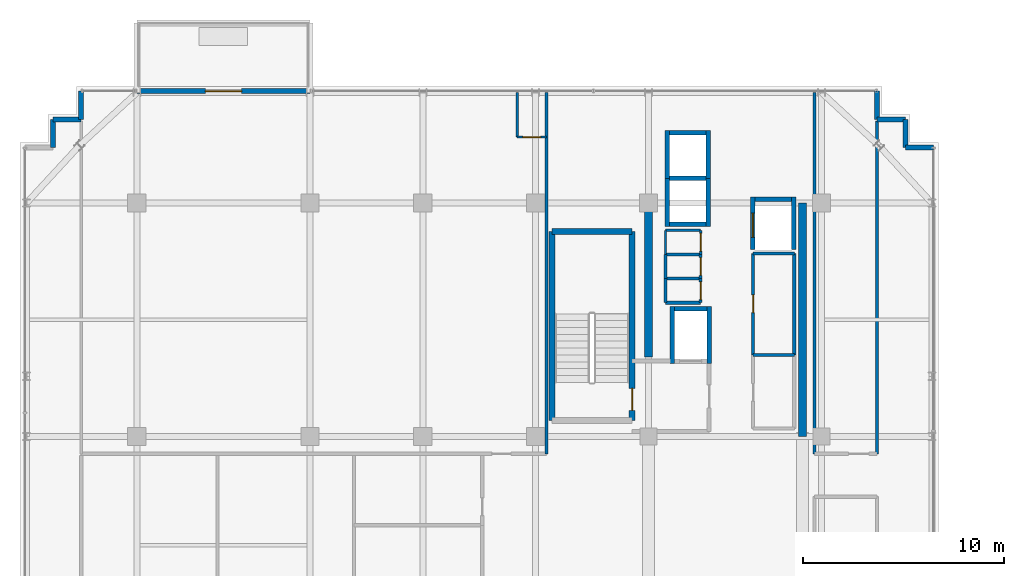
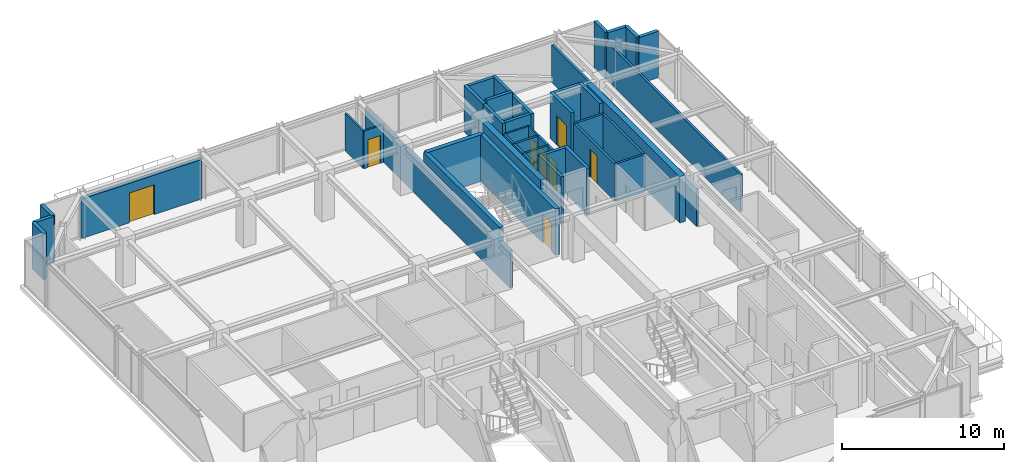
# One storey, part 26 of 31: 45 walls, 8 doors, 8 openings.
"""IFC4 building model written with IfcOpenShell, lengths in metres."""

from ifc_helpers import new_model, si_unit, direction, frame, frame_2d, origin, place, context, subcontext, project, spatial, rectangle, extrude, source, transform, mapped, material, layer, layer_set, type_object, element, fill, save


model = new_model("IFC4")

# Units and contexts
model_context = context("Model", 3, precision=1e-05, world=origin(), true_north=direction((0.0, 1.0)))
body_context = subcontext(model_context, "Body", "Model", "MODEL_VIEW")
ifc_project = project(units=[si_unit("LENGTHUNIT", "METRE"), si_unit("AREAUNIT", "SQUARE_METRE"), si_unit("VOLUMEUNIT", "CUBIC_METRE"), si_unit("PLANEANGLEUNIT", "RADIAN"), si_unit("MASSUNIT", "GRAM", prefix="KILO")], contexts=[model_context])

# Site, building, storey
site_placement = place(None, origin())
site = spatial("IfcSite", under=ifc_project, at=site_placement, CompositionType="ELEMENT")
building_placement = place(site_placement, origin())
building = spatial("IfcBuilding", under=site, at=building_placement, Name="Nahalor Promenade Grand Hotel", CompositionType="ELEMENT")
storey_placement = place(building_placement, frame((0.0, 0.0, 327.14990234375)))
storey = spatial("IfcBuildingStorey", under=building, at=storey_placement, Name="L84", CompositionType="ELEMENT", Elevation=327.14990234375)

# Walls
ifc_material_1 = material(Name="Concrete B-50 (C40/50)", Category="concrete")
ifc_layer_1 = layer(ifc_material_1, 0.39990234375)
ifc_layer_set_1 = layer_set([ifc_layer_1], Name="Concrete B-50 (C40/50)")
wall_type_1 = type_object("IfcWallType", Name="Wall-CoreShear-400", PredefinedType="SHEAR", material=ifc_layer_set_1)
shared_shape_1 = source(origin(), body_context, "Body", "SweptSolid", [
    extrude(rectangle(XDim=7.64990234375, YDim=0.39990234375, at=frame_2d((3.824951171875, 0.0))), origin(), (0.0, 0.0, 1.0), 3.5),
])
wall_1_placement = place(storey_placement, frame((8.39990234375, 9.35009765625, 0.0), z_axis=(0.0, 0.0, 1.0), x_axis=(0.0, 1.0, 0.0)))
element("IfcWall", 1, at=wall_1_placement, inside=storey, type_object=wall_type_1, Name="CWALL-L84-NW", PredefinedType="SHEAR", context=body_context, shape_type="MappedRepresentation", body=[
    mapped(shared_shape_1, transform((0.0, 0.0, 0.0), scale=1.0)),
])
shared_shape_2 = source(origin(), body_context, "Body", "SweptSolid", [
    extrude(rectangle(XDim=11.60009765625, YDim=0.39990234375, at=frame_2d((5.800048828125, 0.0))), origin(), (0.0, 0.0, 1.0), 3.5),
])
wall_2_placement = place(storey_placement, frame((16.050048828125, 5.39990234375, 0.0), z_axis=(0.0, 0.0, 1.0), x_axis=(0.0, 1.0, 0.0)))
element("IfcWall", 2, at=wall_2_placement, inside=storey, type_object=wall_type_1, Name="CWALL-L84-NE", PredefinedType="SHEAR", context=body_context, shape_type="MappedRepresentation", body=[
    mapped(shared_shape_2, transform((0.0, 0.0, 0.0), scale=1.0)),
])
ifc_layer_2 = layer(ifc_material_1, 0.300048828125)
ifc_layer_set_2 = layer_set([ifc_layer_2], Name="Concrete B-50 (C40/50)")
wall_type_2 = type_object("IfcWallType", Name="Wall-ShaftShear-300", PredefinedType="SHEAR", material=ifc_layer_set_2)
shared_shape_3 = source(origin(), body_context, "Body", "SweptSolid", [
    extrude(rectangle(XDim=3.97998046875, YDim=0.300048828125, at=frame_2d((1.989990234375, 0.0))), origin(), (0.0, 0.0, 1.0), 3.5),
])
wall_3_placement = place(storey_placement, frame((3.610107421875, 15.590087890625, 0.0), z_axis=(0.0, 0.0, 1.0), x_axis=(1.0, 0.0, 0.0)))
element("IfcWall", 3, at=wall_3_placement, inside=storey, type_object=wall_type_2, Name="L84 Exit Stair ST1 Shaft Wall N", PredefinedType="SHEAR", context=body_context, shape_type="MappedRepresentation", body=[
    mapped(shared_shape_3, transform((0.0, 0.0, 0.0), scale=1.0)),
])
shared_shape_4 = source(origin(), body_context, "Body", "SweptSolid", [
    extrude(rectangle(XDim=9.380126953125, YDim=0.300048828125, at=frame_2d((4.68994140625, 0.0))), origin(), (0.0, 0.0, 1.0), 3.5),
])
wall_4_placement = place(storey_placement, frame((3.610107421875, 6.2099609375, 0.0), z_axis=(0.0, 0.0, 1.0), x_axis=(0.0, 1.0, 0.0)))
element("IfcWall", 4, at=wall_4_placement, inside=storey, type_object=wall_type_2, Name="L84 Exit Stair ST1 Shaft Wall W", PredefinedType="SHEAR", context=body_context, shape_type="MappedRepresentation", body=[
    mapped(shared_shape_4, transform((0.0, 0.0, 0.0), scale=1.0)),
])

# Wall, opening, door
wall_5_placement = place(storey_placement, frame((7.590087890625, 6.2099609375, 0.0), z_axis=(0.0, 0.0, 1.0), x_axis=(0.0, 1.0, 0.0)))
wall_5 = element("IfcWall", 5, at=wall_5_placement, inside=storey, type_object=wall_type_2, Name="L84 Exit Stair ST1 Shaft Wall E", PredefinedType="SHEAR", context=body_context, shape_type="MappedRepresentation", body=[
    mapped(shared_shape_4, transform((0.0, 0.0, 0.0), scale=1.0)),
])
opening_1_placement = place(wall_5_placement, frame((0.489990234375, 0.0, 0.0)))
opening_1 = element("IfcOpeningElement", 6, at=opening_1_placement, cuts=wall_5, Name="Opening D-ST1", PredefinedType="OPENING", context=body_context, shape_type="SweptSolid", body=[
    extrude(rectangle(XDim=1.10009765625, YDim=2.14990234375, at=frame_2d((0.550048828125, 1.074951171875))), frame((0.0, 0.159912109375, 0.0), z_axis=(0.0, -1.0, 0.0), x_axis=(1.0, 0.0, 0.0)), (0.0, 0.0, 1.0), 0.320068359375),
])
ifc_material_2 = material(Name="Steel S355JR", Category="steel")
door_type_1 = type_object("IfcDoorType", Name="Door-StairFire-1100", OperationType="NOTDEFINED", PredefinedType="DOOR", material=ifc_material_2)
shared_shape_5 = source(origin(), body_context, "Body", "SweptSolid", [
    extrude(rectangle(XDim=1.10009765625, YDim=2.14990234375, at=frame_2d((0.550048828125, 1.074951171875))), frame((0.0, 0.02490234375, 0.0), z_axis=(0.0, -1.0, 0.0), x_axis=(1.0, 0.0, 0.0)), (0.0, 0.0, 1.0), 0.050048828125),
])
door_1_placement = place(opening_1_placement, origin())
door_1 = element("IfcDoor", 7, at=door_1_placement, inside=storey, type_object=door_type_1, Name="DR-STAIR-ST1-L84", OperationType="SINGLE_SWING_LEFT", OverallHeight=2.14990234375, OverallWidth=1.10009765625, PredefinedType="DOOR", context=body_context, shape_type="MappedRepresentation", body=[
    mapped(shared_shape_5, transform((0.0, 0.0, 0.0), scale=1.0)),
])
fill(opening_1, door_1)

# Walls
ifc_layer_3 = layer(ifc_material_1, 0.219970703125)
ifc_layer_set_3 = layer_set([ifc_layer_3], Name="Concrete B-50 (C40/50)")
wall_type_3 = type_object("IfcWallType", Name="Wall-LiftShaft-220", PredefinedType="SHEAR", material=ifc_layer_set_3)
shared_shape_6 = source(origin(), body_context, "Body", "SweptSolid", [
    extrude(rectangle(XDim=1.820068359375, YDim=0.219970703125, at=frame_2d((0.91015625, 0.0))), origin(), (0.0, 0.0, 1.0), 3.5),
])
for number, where, z_axis, x_axis, name in (
    (8, (9.43994140625, 15.949951171875, 0.0), (0.0, 0.0, 1.0), (1.0, 0.0, 0.0), "L84 Lift OB1 Hoistway Wall S"),
    (9, (9.43994140625, 20.5, 0.0), (0.0, 0.0, 1.0), (1.0, 0.0, 0.0), "L84 Lift OB2 Hoistway Wall N"),
    (10, (13.68994140625, 17.199951171875, 0.0), (0.0, 0.0, 1.0), (1.0, 0.0, 0.0), "L84 Lift SV1 Hoistway Wall N"),
):
    element("IfcWall", number, at=place(storey_placement, frame(where, z_axis=z_axis, x_axis=x_axis)), inside=storey, type_object=wall_type_3, Name=name, PredefinedType="SHEAR", context=body_context, shape_type="MappedRepresentation", body=[
        mapped(shared_shape_6, transform((0.0, 0.0, 0.0), scale=1.0)),
    ])
shared_shape_7 = source(origin(), body_context, "Body", "SweptSolid", [
    extrude(rectangle(XDim=1.820068359375, YDim=0.219970703125, at=frame_2d((0.91015625, 0.0))), origin(), (0.0, 0.0, 1.0), 3.800048828125),
])
wall_6_placement = place(storey_placement, frame((9.43994140625, 18.22509765625, 0.0), z_axis=(0.0, 0.0, 1.0), x_axis=(1.0, 0.0, 0.0)))
element("IfcWall", 11, at=wall_6_placement, inside=storey, type_object=wall_type_3, Name="L84 Lift OB1 Hoistway Wall N", PredefinedType="SHEAR", context=body_context, shape_type="MappedRepresentation", body=[
    mapped(shared_shape_7, transform((0.0, 0.0, 0.0), scale=1.0)),
])
shared_shape_8 = source(origin(), body_context, "Body", "SweptSolid", [
    extrude(rectangle(XDim=2.385009765625, YDim=0.219970703125, at=frame_2d((1.1923828125, 0.0))), origin(), (0.0, 0.0, 1.0), 3.5),
])
for number, where, z_axis, x_axis, name in (
    (12, (9.330078125, 15.840087890625, 0.0), (0.0, 0.0, 1.0), (0.0, 1.0, 0.0), "L84 Lift OB1 Hoistway Wall W"),
    (13, (11.3701171875, 15.840087890625, 0.0), (0.0, 0.0, 1.0), (0.0, 1.0, 0.0), "L84 Lift OB1 Hoistway Wall E"),
    (14, (9.330078125, 18.22509765625, 0.0), (0.0, 0.0, 1.0), (0.0, 1.0, 0.0), "L84 Lift OB2 Hoistway Wall W"),
    (15, (11.3701171875, 18.22509765625, 0.0), (0.0, 0.0, 1.0), (0.0, 1.0, 0.0), "L84 Lift OB2 Hoistway Wall E"),
):
    element("IfcWall", number, at=place(storey_placement, frame(where, z_axis=z_axis, x_axis=x_axis)), inside=storey, type_object=wall_type_3, Name=name, PredefinedType="SHEAR", context=body_context, shape_type="MappedRepresentation", body=[
        mapped(shared_shape_8, transform((0.0, 0.0, 0.0), scale=1.0)),
    ])
shared_shape_9 = source(origin(), body_context, "Body", "SweptSolid", [
    extrude(rectangle(XDim=2.820068359375, YDim=0.219970703125, at=frame_2d((1.41015625, 0.0))), origin(), (0.0, 0.0, 1.0), 3.5),
])
for number, where, z_axis, x_axis, name in (
    (16, (9.580078125, 9.0400390625, 0.0), (0.0, 0.0, 1.0), (0.0, 1.0, 0.0), "L84 Lift FL1 Hoistway Wall W"),
    (17, (11.419921875, 9.0400390625, 0.0), (0.0, 0.0, 1.0), (0.0, 1.0, 0.0), "L84 Lift FL1 Hoistway Wall E"),
):
    element("IfcWall", number, at=place(storey_placement, frame(where, z_axis=z_axis, x_axis=x_axis)), inside=storey, type_object=wall_type_3, Name=name, PredefinedType="SHEAR", context=body_context, shape_type="MappedRepresentation", body=[
        mapped(shared_shape_9, transform((0.0, 0.0, 0.0), scale=1.0)),
    ])
shared_shape_10 = source(origin(), body_context, "Body", "SweptSolid", [
    extrude(rectangle(XDim=1.6201171875, YDim=0.219970703125, at=frame_2d((0.81005859375, 0.0))), origin(), (0.0, 0.0, 1.0), 3.5),
])
wall_7_placement = place(storey_placement, frame((9.68994140625, 11.75, 0.0), z_axis=(0.0, 0.0, 1.0), x_axis=(1.0, 0.0, 0.0)))
element("IfcWall", 18, at=wall_7_placement, inside=storey, type_object=wall_type_3, Name="L84 Lift FL1 Hoistway Wall N", PredefinedType="SHEAR", context=body_context, shape_type="MappedRepresentation", body=[
    mapped(shared_shape_10, transform((0.0, 0.0, 0.0), scale=1.0)),
])

# Wall, opening, door
shared_shape_11 = source(origin(), body_context, "Body", "SweptSolid", [
    extrude(rectangle(XDim=2.610107421875, YDim=0.219970703125, at=frame_2d((1.30517578125, 0.0))), origin(), (0.0, 0.0, 1.0), 3.5),
])
wall_8_placement = place(storey_placement, frame((13.580078125, 14.699951171875, 0.0), z_axis=(0.0, 0.0, 1.0), x_axis=(0.0, 1.0, 0.0)))
wall_8 = element("IfcWall", 19, at=wall_8_placement, inside=storey, type_object=wall_type_3, Name="L84 Lift SV1 Hoistway Wall W", PredefinedType="SHEAR", context=body_context, shape_type="MappedRepresentation", body=[
    mapped(shared_shape_11, transform((0.0, 0.0, 0.0), scale=1.0)),
])
opening_2_placement = place(wall_8_placement, frame((0.60009765625, 0.0, 0.0)))
opening_2 = element("IfcOpeningElement", 20, at=opening_2_placement, cuts=wall_8, Name="Opening LD-03", PredefinedType="OPENING", context=body_context, shape_type="SweptSolid", body=[
    extrude(rectangle(XDim=1.199951171875, YDim=2.199951171875, at=frame_2d((0.60009765625, 1.10009765625))), frame((0.0, 0.119873046875, 0.0), z_axis=(0.0, -1.0, 0.0), x_axis=(1.0, 0.0, 0.0)), (0.0, 0.0, 1.0), 0.239990234375),
])
door_type_2 = type_object("IfcDoorType", Name="Door-LiftService-1200", OperationType="DOUBLE_DOOR_SLIDING", PredefinedType="DOOR", material=ifc_material_2)
shared_shape_12 = source(origin(), body_context, "Body", "SweptSolid", [
    extrude(rectangle(XDim=1.199951171875, YDim=2.199951171875, at=frame_2d((0.60009765625, 1.10009765625))), frame((0.0, 0.02490234375, 0.0), z_axis=(0.0, -1.0, 0.0), x_axis=(1.0, 0.0, 0.0)), (0.0, 0.0, 1.0), 0.050048828125),
])
door_2_placement = place(opening_2_placement, origin())
door_2 = element("IfcDoor", 21, at=door_2_placement, inside=storey, type_object=door_type_2, Name="DR-LIFT-SV1-L84", OperationType="DOUBLE_DOOR_SLIDING", OverallHeight=2.199951171875, OverallWidth=1.199951171875, PredefinedType="DOOR", context=body_context, shape_type="MappedRepresentation", body=[
    mapped(shared_shape_12, transform((0.0, 0.0, 0.0), scale=1.0)),
])
fill(opening_2, door_2)

# Walls
wall_9_placement = place(storey_placement, frame((15.6201171875, 14.699951171875, 0.0), z_axis=(0.0, 0.0, 1.0), x_axis=(0.0, 1.0, 0.0)))
element("IfcWall", 22, at=wall_9_placement, inside=storey, type_object=wall_type_3, Name="L84 Lift SV1 Hoistway Wall E", PredefinedType="SHEAR", context=body_context, shape_type="MappedRepresentation", body=[
    mapped(shared_shape_11, transform((0.0, 0.0, 0.0), scale=1.0)),
])
ifc_material_3 = material(Name="Concrete B-40 (C32/40)", Category="concrete")
ifc_layer_4 = layer(ifc_material_3, 0.25)
ifc_layer_set_4 = layer_set([ifc_layer_4], Name="Concrete B-40 (C32/40)")
wall_type_4 = type_object("IfcWallType", Name="Wall-BronzePier-250", PredefinedType="STANDARD", material=ifc_layer_set_4)
shared_shape_13 = source(origin(), body_context, "Body", "SweptSolid", [
    extrude(rectangle(XDim=1.400146484375, YDim=0.25, at=frame_2d((0.7001953125, 0.0))), origin(), (0.0, 0.0, 1.0), 3.5),
])
for number, where, z_axis, x_axis, name in (
    (23, (21.159912109375, 19.760009765625, 0.0), (0.0, 0.0, 1.0), (1.0, 0.0, 0.0), "W-L84-SR-05"),
    (24, (19.760009765625, 21.159912109375, 0.0), (0.0, 0.0, 1.0), (0.0, 1.0, 0.0), "W-L84-SR-08"),
    (25, (-19.760009765625, 21.159912109375, 0.0), (0.0, 0.0, 1.0), (0.0, 1.0, 0.0), "W-L84-SR-09"),
):
    element("IfcWall", number, at=place(storey_placement, frame(where, z_axis=z_axis, x_axis=x_axis)), inside=storey, type_object=wall_type_4, Name=name, PredefinedType="STANDARD", context=body_context, shape_type="MappedRepresentation", body=[
        mapped(shared_shape_13, transform((0.0, 0.0, 0.0), scale=1.0)),
    ])
shared_shape_14 = source(origin(), body_context, "Body", "SweptSolid", [
    extrude(rectangle(XDim=1.39990234375, YDim=0.25, at=frame_2d((0.699951171875, 0.0))), origin(), (0.0, 0.0, 1.0), 3.5),
])
for number, where, z_axis, x_axis, name in (
    (26, (21.159912109375, 19.760009765625, 0.0), (0.0, 0.0, 1.0), (0.0, 1.0, 0.0), "W-L84-SR-06"),
    (27, (19.760009765625, 21.159912109375, 0.0), (0.0, 0.0, 1.0), (1.0, 0.0, 0.0), "W-L84-SR-07"),
    (28, (-21.159912109375, 21.159912109375, 0.0), (0.0, 0.0, 1.0), (1.0, 0.0, 0.0), "W-L84-SR-10"),
    (29, (-21.159912109375, 19.760009765625, 0.0), (0.0, 0.0, 1.0), (0.0, 1.0, 0.0), "W-L84-SR-11"),
):
    element("IfcWall", number, at=place(storey_placement, frame(where, z_axis=z_axis, x_axis=x_axis)), inside=storey, type_object=wall_type_4, Name=name, PredefinedType="STANDARD", context=body_context, shape_type="MappedRepresentation", body=[
        mapped(shared_shape_14, transform((0.0, 0.0, 0.0), scale=1.0)),
    ])

# Wall, opening, door
ifc_layer_5 = layer(ifc_material_3, 0.260009765625)
ifc_layer_set_5 = layer_set([ifc_layer_5], Name="Concrete B-40 (C32/40)")
wall_type_5 = type_object("IfcWallType", Name="Wall-BalconyWall-260", PredefinedType="STANDARD", material=ifc_layer_set_5)
shared_shape_15 = source(origin(), body_context, "Body", "SweptSolid", [
    extrude(rectangle(XDim=8.60009765625, YDim=0.260009765625, at=frame_2d((4.300048828125, 0.0))), origin(), (0.0, 0.0, 1.0), 2.97998046875),
])
wall_10_placement = place(storey_placement, frame((-17.0, 22.56005859375, 0.0), z_axis=(0.0, 0.0, 1.0), x_axis=(1.0, 0.0, 0.0)))
wall_10 = element("IfcWall", 30, at=wall_10_placement, inside=storey, type_object=wall_type_5, Name="W-L84-BALC-N-2", PredefinedType="STANDARD", context=body_context, shape_type="MappedRepresentation", body=[
    mapped(shared_shape_15, transform((0.0, 0.0, 0.0), scale=1.0)),
])
opening_3_placement = place(wall_10_placement, frame((3.39990234375, 0.0, 0.0)))
opening_3 = element("IfcOpeningElement", 31, at=opening_3_placement, cuts=wall_10, Name="Opening D-BC1", PredefinedType="OPENING", context=body_context, shape_type="SweptSolid", body=[
    extrude(rectangle(XDim=1.800048828125, YDim=2.25, at=frame_2d((0.89990234375, 1.125))), frame((0.0, 0.139892578125, 0.0), z_axis=(0.0, -1.0, 0.0), x_axis=(1.0, 0.0, 0.0)), (0.0, 0.0, 1.0), 0.280029296875),
])
ifc_material_4 = material(Name="Anodised Bronze Aluminium EN AW-6063 T6", Category="aluminium")
door_type_3 = type_object("IfcDoorType", Name="Door-BalconySlide-1800", OperationType="DOUBLE_DOOR_SLIDING", PredefinedType="DOOR", material=ifc_material_4)
shared_shape_16 = source(origin(), body_context, "Body", "SweptSolid", [
    extrude(rectangle(XDim=1.800048828125, YDim=2.25, at=frame_2d((0.89990234375, 1.125))), frame((0.0, 0.02490234375, 0.0), z_axis=(0.0, -1.0, 0.0), x_axis=(1.0, 0.0, 0.0)), (0.0, 0.0, 1.0), 0.050048828125),
])
door_3_placement = place(opening_3_placement, origin())
door_3 = element("IfcDoor", 32, at=door_3_placement, inside=storey, type_object=door_type_3, Name="DR-L84-BALC-N-2", OperationType="DOUBLE_DOOR_SLIDING", OverallHeight=2.25, OverallWidth=1.800048828125, PredefinedType="DOOR", context=body_context, shape_type="MappedRepresentation", body=[
    mapped(shared_shape_16, transform((0.0, 0.0, 0.0), scale=1.0)),
])
fill(opening_3, door_3)

# Walls
ifc_material_5 = material(Name="Acoustic Mineral Gypsum", Category="gypsum")
ifc_layer_6 = layer(ifc_material_5, 0.14990234375)
ifc_layer_set_6 = layer_set([ifc_layer_6], Name="Acoustic Mineral Gypsum")
wall_type_6 = type_object("IfcWallType", Name="Wall-PartService-150", PredefinedType="PARTITIONING", material=ifc_layer_set_6)
shared_shape_17 = source(origin(), body_context, "Body", "SweptSolid", [
    extrude(rectangle(XDim=1.75, YDim=0.14990234375, at=frame_2d((0.875, 0.0))), origin(), (0.0, 0.0, 1.0), 2.840087890625),
])
for number, where, z_axis, x_axis, name in (
    (33, (9.25, 12.050048828125, 0.0), (0.0, 0.0, 1.0), (1.0, 0.0, 0.0), "W-L84-CK3A-S"),
    (34, (9.25, 13.25, 0.0), (0.0, 0.0, 1.0), (1.0, 0.0, 0.0), "W-L84-CK3A-N"),
    (35, (9.25, 14.449951171875, 0.0), (0.0, 0.0, 1.0), (1.0, 0.0, 0.0), "W-L84-CK3B-N"),
):
    element("IfcWall", number, at=place(storey_placement, frame(where, z_axis=z_axis, x_axis=x_axis)), inside=storey, type_object=wall_type_6, Name=name, PredefinedType="PARTITIONING", context=body_context, shape_type="MappedRepresentation", body=[
        mapped(shared_shape_17, transform((0.0, 0.0, 0.0), scale=1.0)),
    ])
shared_shape_18 = source(origin(), body_context, "Body", "SweptSolid", [
    extrude(rectangle(XDim=1.199951171875, YDim=0.14990234375, at=frame_2d((0.60009765625, 0.0))), origin(), (0.0, 0.0, 1.0), 2.840087890625),
])
wall_11_placement = place(storey_placement, frame((9.25, 12.050048828125, 0.0), z_axis=(0.0, 0.0, 1.0), x_axis=(0.0, 1.0, 0.0)))
element("IfcWall", 36, at=wall_11_placement, inside=storey, type_object=wall_type_6, Name="W-L84-CK3A-W", PredefinedType="PARTITIONING", context=body_context, shape_type="MappedRepresentation", body=[
    mapped(shared_shape_18, transform((0.0, 0.0, 0.0), scale=1.0)),
])

# Wall, opening, door
wall_12_placement = place(storey_placement, frame((11.0, 12.050048828125, 0.0), z_axis=(0.0, 0.0, 1.0), x_axis=(0.0, 1.0, 0.0)))
wall_12 = element("IfcWall", 37, at=wall_12_placement, inside=storey, type_object=wall_type_6, Name="W-L84-CK3A-E", PredefinedType="PARTITIONING", context=body_context, shape_type="MappedRepresentation", body=[
    mapped(shared_shape_18, transform((0.0, 0.0, 0.0), scale=1.0)),
])
opening_4_placement = place(wall_12_placement, frame((0.159912109375, 0.0, 0.0)))
opening_4 = element("IfcOpeningElement", 38, at=opening_4_placement, cuts=wall_12, Name="Opening D-03", PredefinedType="OPENING", context=body_context, shape_type="SweptSolid", body=[
    extrude(rectangle(XDim=0.8798828125, YDim=2.10009765625, at=frame_2d((0.43994140625, 1.050048828125))), frame((0.0, 0.0849609375, 0.0), z_axis=(0.0, -1.0, 0.0), x_axis=(1.0, 0.0, 0.0)), (0.0, 0.0, 1.0), 0.169921875),
])
ifc_material_6 = material(Name="Fire-Rated Timber Composite", Category="wood")
door_type_4 = type_object("IfcDoorType", Name="Door-BathSwing-880", OperationType="NOTDEFINED", PredefinedType="DOOR", material=ifc_material_6)
shared_shape_19 = source(origin(), body_context, "Body", "SweptSolid", [
    extrude(rectangle(XDim=0.8798828125, YDim=2.10009765625, at=frame_2d((0.43994140625, 1.050048828125))), frame((0.0, 0.02490234375, 0.0), z_axis=(0.0, -1.0, 0.0), x_axis=(1.0, 0.0, 0.0)), (0.0, 0.0, 1.0), 0.050048828125),
])
door_4_placement = place(opening_4_placement, origin())
door_4 = element("IfcDoor", 39, at=door_4_placement, inside=storey, type_object=door_type_4, Name="DR-L84-CK3A", OperationType="SINGLE_SWING_LEFT", OverallHeight=2.10009765625, OverallWidth=0.8798828125, PredefinedType="DOOR", context=body_context, shape_type="MappedRepresentation", body=[
    mapped(shared_shape_19, transform((0.0, 0.0, 0.0), scale=1.0)),
])
fill(opening_4, door_4)

# Wall
wall_13_placement = place(storey_placement, frame((9.25, 13.25, 0.0), z_axis=(0.0, 0.0, 1.0), x_axis=(0.0, 1.0, 0.0)))
element("IfcWall", 40, at=wall_13_placement, inside=storey, type_object=wall_type_6, Name="W-L84-CK3B-W", PredefinedType="PARTITIONING", context=body_context, shape_type="MappedRepresentation", body=[
    mapped(shared_shape_18, transform((0.0, 0.0, 0.0), scale=1.0)),
])

# Wall, opening, door
wall_14_placement = place(storey_placement, frame((11.0, 13.25, 0.0), z_axis=(0.0, 0.0, 1.0), x_axis=(0.0, 1.0, 0.0)))
wall_14 = element("IfcWall", 41, at=wall_14_placement, inside=storey, type_object=wall_type_6, Name="W-L84-CK3B-E", PredefinedType="PARTITIONING", context=body_context, shape_type="MappedRepresentation", body=[
    mapped(shared_shape_18, transform((0.0, 0.0, 0.0), scale=1.0)),
])
opening_5_placement = place(wall_14_placement, frame((0.159912109375, 0.0, 0.0)))
opening_5 = element("IfcOpeningElement", 42, at=opening_5_placement, cuts=wall_14, Name="Opening D-03", PredefinedType="OPENING", context=body_context, shape_type="SweptSolid", body=[
    extrude(rectangle(XDim=0.8798828125, YDim=2.10009765625, at=frame_2d((0.43994140625, 1.050048828125))), frame((0.0, 0.0849609375, 0.0), z_axis=(0.0, -1.0, 0.0), x_axis=(1.0, 0.0, 0.0)), (0.0, 0.0, 1.0), 0.169921875),
])
door_5_placement = place(opening_5_placement, origin())
door_5 = element("IfcDoor", 43, at=door_5_placement, inside=storey, type_object=door_type_4, Name="DR-L84-CK3B", OperationType="SINGLE_SWING_RIGHT", OverallHeight=2.10009765625, OverallWidth=0.8798828125, PredefinedType="DOOR", context=body_context, shape_type="MappedRepresentation", body=[
    mapped(shared_shape_19, transform((0.0, 0.0, 0.0), scale=1.0)),
])
fill(opening_5, door_5)

# Walls
ifc_layer_7 = layer(ifc_material_5, 0.1201171875)
ifc_layer_set_7 = layer_set([ifc_layer_7], Name="Acoustic Mineral Gypsum")
wall_type_7 = type_object("IfcWallType", Name="Wall-PartBath-120", PredefinedType="PARTITIONING", material=ifc_layer_set_7)
shared_shape_20 = source(origin(), body_context, "Body", "SweptSolid", [
    extrude(rectangle(XDim=1.75, YDim=0.1201171875, at=frame_2d((0.875, 0.0))), origin(), (0.0, 0.0, 1.0), 2.840087890625),
])
wall_15_placement = place(storey_placement, frame((9.25, 15.64990234375, 0.0), z_axis=(0.0, 0.0, 1.0), x_axis=(1.0, 0.0, 0.0)))
element("IfcWall", 44, at=wall_15_placement, inside=storey, type_object=wall_type_7, Name="W-L84-CK3C-N", PredefinedType="PARTITIONING", context=body_context, shape_type="MappedRepresentation", body=[
    mapped(shared_shape_20, transform((0.0, 0.0, 0.0), scale=1.0)),
])
shared_shape_21 = source(origin(), body_context, "Body", "SweptSolid", [
    extrude(rectangle(XDim=1.199951171875, YDim=0.1201171875, at=frame_2d((0.60009765625, 0.0))), origin(), (0.0, 0.0, 1.0), 2.840087890625),
])
wall_16_placement = place(storey_placement, frame((9.25, 14.449951171875, 0.0), z_axis=(0.0, 0.0, 1.0), x_axis=(0.0, 1.0, 0.0)))
element("IfcWall", 45, at=wall_16_placement, inside=storey, type_object=wall_type_7, Name="W-L84-CK3C-W", PredefinedType="PARTITIONING", context=body_context, shape_type="MappedRepresentation", body=[
    mapped(shared_shape_21, transform((0.0, 0.0, 0.0), scale=1.0)),
])

# Wall, opening, door
wall_17_placement = place(storey_placement, frame((11.0, 14.449951171875, 0.0), z_axis=(0.0, 0.0, 1.0), x_axis=(0.0, 1.0, 0.0)))
wall_17 = element("IfcWall", 46, at=wall_17_placement, inside=storey, type_object=wall_type_7, Name="W-L84-CK3C-E", PredefinedType="PARTITIONING", context=body_context, shape_type="MappedRepresentation", body=[
    mapped(shared_shape_21, transform((0.0, 0.0, 0.0), scale=1.0)),
])
opening_6_placement = place(wall_17_placement, frame((0.159912109375, 0.0, 0.0)))
opening_6 = element("IfcOpeningElement", 47, at=opening_6_placement, cuts=wall_17, Name="Opening D-03", PredefinedType="OPENING", context=body_context, shape_type="SweptSolid", body=[
    extrude(rectangle(XDim=0.8798828125, YDim=2.10009765625, at=frame_2d((0.43994140625, 1.050048828125))), frame((0.0, 0.070068359375, 0.0), z_axis=(0.0, -1.0, 0.0), x_axis=(1.0, 0.0, 0.0)), (0.0, 0.0, 1.0), 0.14013671875),
])
door_6_placement = place(opening_6_placement, origin())
door_6 = element("IfcDoor", 48, at=door_6_placement, inside=storey, type_object=door_type_4, Name="DR-L84-CK3C", OperationType="SINGLE_SWING_LEFT", OverallHeight=2.10009765625, OverallWidth=0.8798828125, PredefinedType="DOOR", context=body_context, shape_type="MappedRepresentation", body=[
    mapped(shared_shape_19, transform((0.0, 0.0, 0.0), scale=1.0)),
])
fill(opening_6, door_6)

# Walls
ifc_layer_8 = layer(ifc_material_5, 0.159912109375)
ifc_layer_set_8 = layer_set([ifc_layer_8], Name="Acoustic Mineral Gypsum")
wall_type_8 = type_object("IfcWallType", Name="Wall-PartCorridor-160", PredefinedType="PARTITIONING", material=ifc_layer_set_8)
shared_shape_22 = source(origin(), body_context, "Body", "SweptSolid", [
    extrude(rectangle(XDim=2.0498046875, YDim=0.159912109375, at=frame_2d((1.02490234375, 0.0))), origin(), (0.0, 0.0, 1.0), 2.840087890625),
])
for number, where, z_axis, x_axis, name in (
    (49, (13.60009765625, 9.449951171875, 0.0), (0.0, 0.0, 1.0), (1.0, 0.0, 0.0), "W-L84-FRB1A-N"),
    (50, (13.60009765625, 14.5, 0.0), (0.0, 0.0, 1.0), (1.0, 0.0, 0.0), "W-L84-FRB1B-N"),
):
    element("IfcWall", number, at=place(storey_placement, frame(where, z_axis=z_axis, x_axis=x_axis)), inside=storey, type_object=wall_type_8, Name=name, PredefinedType="PARTITIONING", context=body_context, shape_type="MappedRepresentation", body=[
        mapped(shared_shape_22, transform((0.0, 0.0, 0.0), scale=1.0)),
    ])

# Wall, opening, door
shared_shape_23 = source(origin(), body_context, "Body", "SweptSolid", [
    extrude(rectangle(XDim=5.050048828125, YDim=0.159912109375, at=frame_2d((2.52490234375, 0.0))), origin(), (0.0, 0.0, 1.0), 2.840087890625),
])
wall_18_placement = place(storey_placement, frame((13.60009765625, 9.449951171875, 0.0), z_axis=(0.0, 0.0, 1.0), x_axis=(0.0, 1.0, 0.0)))
wall_18 = element("IfcWall", 51, at=wall_18_placement, inside=storey, type_object=wall_type_8, Name="W-L84-FRB1B-W", PredefinedType="PARTITIONING", context=body_context, shape_type="MappedRepresentation", body=[
    mapped(shared_shape_23, transform((0.0, 0.0, 0.0), scale=1.0)),
])
opening_7_placement = place(wall_18_placement, frame((2.110107421875, 0.0, 0.0)))
opening_7 = element("IfcOpeningElement", 52, at=opening_7_placement, cuts=wall_18, Name="Opening D-03", PredefinedType="OPENING", context=body_context, shape_type="SweptSolid", body=[
    extrude(rectangle(XDim=0.8798828125, YDim=2.10009765625, at=frame_2d((0.43994140625, 1.050048828125))), frame((0.0, 0.08984375, 0.0), z_axis=(0.0, -1.0, 0.0), x_axis=(1.0, 0.0, 0.0)), (0.0, 0.0, 1.0), 0.179931640625),
])
door_7_placement = place(opening_7_placement, frame((0.8798828125, 0.0, 0.0), z_axis=(0.0, 0.0, 1.0), x_axis=(-1.0, 0.0, 0.0)))
door_7 = element("IfcDoor", 53, at=door_7_placement, inside=storey, type_object=door_type_4, Name="DR-L84-FRB1B", OperationType="SINGLE_SWING_LEFT", OverallHeight=2.10009765625, OverallWidth=0.8798828125, PredefinedType="DOOR", context=body_context, shape_type="MappedRepresentation", body=[
    mapped(shared_shape_19, transform((0.0, 0.0, 0.0), scale=1.0)),
])
fill(opening_7, door_7)

# Walls
wall_19_placement = place(storey_placement, frame((15.64990234375, 9.449951171875, 0.0), z_axis=(0.0, 0.0, 1.0), x_axis=(0.0, 1.0, 0.0)))
element("IfcWall", 54, at=wall_19_placement, inside=storey, type_object=wall_type_8, Name="W-L84-FRB1B-E", PredefinedType="PARTITIONING", context=body_context, shape_type="MappedRepresentation", body=[
    mapped(shared_shape_23, transform((0.0, 0.0, 0.0), scale=1.0)),
])
shared_shape_24 = source(origin(), body_context, "Body", "SweptSolid", [
    extrude(rectangle(XDim=17.949951171875, YDim=0.159912109375, at=frame_2d((8.97509765625, 0.0))), origin(), (0.0, 0.0, 1.0), 2.840087890625),
])
wall_20_placement = place(storey_placement, frame((16.64990234375, 4.550048828125, 0.0), z_axis=(0.0, 0.0, 1.0), x_axis=(0.0, 1.0, 0.0)))
element("IfcWall", 55, at=wall_20_placement, inside=storey, type_object=wall_type_8, Name="W-L84-ENE-W", PredefinedType="PARTITIONING", context=body_context, shape_type="MappedRepresentation", body=[
    mapped(shared_shape_24, transform((0.0, 0.0, 0.0), scale=1.0)),
])
shared_shape_25 = source(origin(), body_context, "Body", "SweptSolid", [
    extrude(rectangle(XDim=16.530029296875, YDim=0.159912109375, at=frame_2d((8.26513671875, 0.0))), origin(), (0.0, 0.0, 1.0), 2.840087890625),
])
wall_21_placement = place(storey_placement, frame((19.760009765625, 4.550048828125, 0.0), z_axis=(0.0, 0.0, 1.0), x_axis=(0.0, 1.0, 0.0)))
element("IfcWall", 56, at=wall_21_placement, inside=storey, type_object=wall_type_8, Name="W-L84-ENE-E", PredefinedType="PARTITIONING", context=body_context, shape_type="MappedRepresentation", body=[
    mapped(shared_shape_25, transform((0.0, 0.0, 0.0), scale=1.0)),
])
ifc_layer_9 = layer(ifc_material_5, 0.139892578125)
ifc_layer_set_9 = layer_set([ifc_layer_9], Name="Acoustic Mineral Gypsum")
wall_type_9 = type_object("IfcWallType", Name="Wall-PartSuite-140", PredefinedType="PARTITIONING", material=ifc_layer_set_9)
shared_shape_26 = source(origin(), body_context, "Body", "SweptSolid", [
    extrude(rectangle(XDim=17.949951171875, YDim=0.139892578125, at=frame_2d((8.97509765625, 0.0))), origin(), (0.0, 0.0, 1.0), 2.840087890625),
])
wall_22_placement = place(storey_placement, frame((3.340087890625, 4.550048828125, 0.0), z_axis=(0.0, 0.0, 1.0), x_axis=(0.0, 1.0, 0.0)))
element("IfcWall", 57, at=wall_22_placement, inside=storey, type_object=wall_type_9, Name="W-L84-NW-ENDE", PredefinedType="PARTITIONING", context=body_context, shape_type="MappedRepresentation", body=[
    mapped(shared_shape_26, transform((0.0, 0.0, 0.0), scale=1.0)),
])

# Wall, opening, door
shared_shape_27 = source(origin(), body_context, "Body", "SweptSolid", [
    extrude(rectangle(XDim=1.4501953125, YDim=0.1201171875, at=frame_2d((0.72509765625, 0.0))), origin(), (0.0, 0.0, 1.0), 2.840087890625),
])
wall_23_placement = place(storey_placement, frame((1.889892578125, 20.280029296875, 0.0), z_axis=(0.0, 0.0, 1.0), x_axis=(1.0, 0.0, 0.0)))
wall_23 = element("IfcWall", 58, at=wall_23_placement, inside=storey, type_object=wall_type_7, Name="W-L84-N1-BH", PredefinedType="PARTITIONING", context=body_context, shape_type="MappedRepresentation", body=[
    mapped(shared_shape_27, transform((0.0, 0.0, 0.0), scale=1.0)),
])
opening_8_placement = place(wall_23_placement, frame((0.284912109375, 0.0, 0.0)))
opening_8 = element("IfcOpeningElement", 59, at=opening_8_placement, cuts=wall_23, Name="Opening D-03", PredefinedType="OPENING", context=body_context, shape_type="SweptSolid", body=[
    extrude(rectangle(XDim=0.8798828125, YDim=2.10009765625, at=frame_2d((0.43994140625, 1.050048828125))), frame((0.0, 0.070068359375, 0.0), z_axis=(0.0, -1.0, 0.0), x_axis=(1.0, 0.0, 0.0)), (0.0, 0.0, 1.0), 0.14013671875),
])
door_8_placement = place(opening_8_placement, origin())
door_8 = element("IfcDoor", 60, at=door_8_placement, inside=storey, type_object=door_type_4, Name="DR-L84-N1-BATH", OperationType="SINGLE_SWING_RIGHT", OverallHeight=2.10009765625, OverallWidth=0.8798828125, PredefinedType="DOOR", context=body_context, shape_type="MappedRepresentation", body=[
    mapped(shared_shape_19, transform((0.0, 0.0, 0.0), scale=1.0)),
])
fill(opening_8, door_8)

# Wall
shared_shape_28 = source(origin(), body_context, "Body", "SweptSolid", [
    extrude(rectangle(XDim=2.219970703125, YDim=0.1201171875, at=frame_2d((1.10986328125, 0.0))), origin(), (0.0, 0.0, 1.0), 2.840087890625),
])
wall_24_placement = place(storey_placement, frame((1.889892578125, 20.280029296875, 0.0), z_axis=(0.0, 0.0, 1.0), x_axis=(0.0, 1.0, 0.0)))
element("IfcWall", 61, at=wall_24_placement, inside=storey, type_object=wall_type_7, Name="W-L84-N1-BV", PredefinedType="PARTITIONING", context=body_context, shape_type="MappedRepresentation", body=[
    mapped(shared_shape_28, transform((0.0, 0.0, 0.0), scale=1.0)),
])

save(model, "model.ifc")
